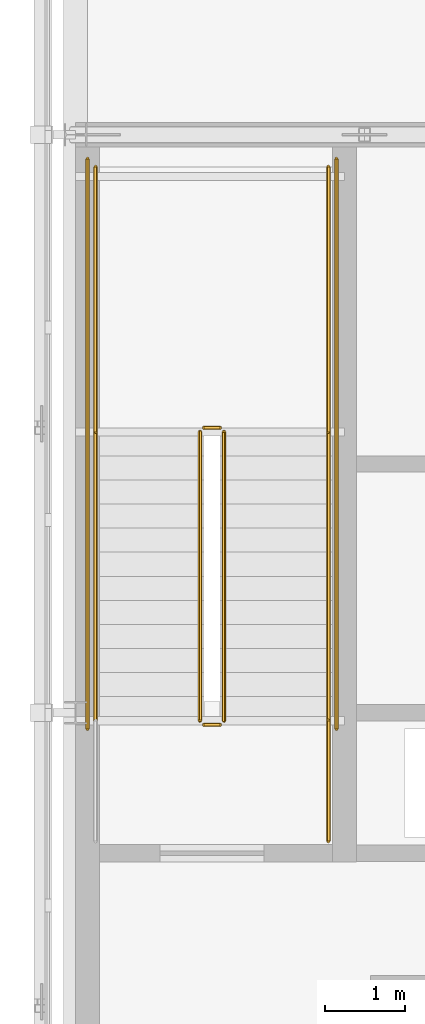
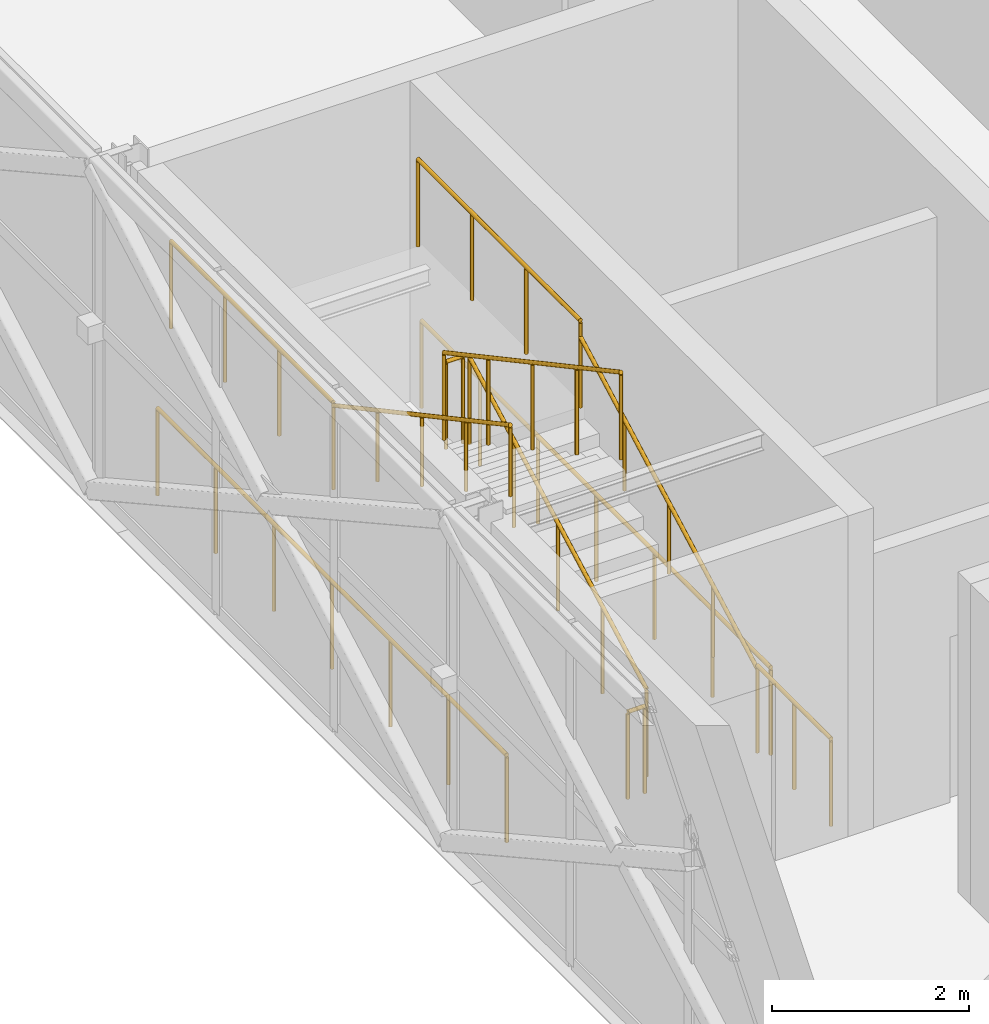
# One storey, part 145 of 146: 11 railings.
"""IFC4 building model written with IfcOpenShell, lengths in metres."""

from ifc_helpers import new_model, si_unit, direction, frame, origin, origin_2d, place, context, subcontext, project, spatial, circle, extrude, material, type_object, element, save


model = new_model("IFC4")

# Units and contexts
model_context = context("Model", 3, precision=1e-05, world=origin(), true_north=direction((0.0, 1.0)))
body_context = subcontext(model_context, "Body", "Model", "MODEL_VIEW")
ifc_project = project(units=[si_unit("LENGTHUNIT", "METRE"), si_unit("AREAUNIT", "SQUARE_METRE"), si_unit("VOLUMEUNIT", "CUBIC_METRE"), si_unit("PLANEANGLEUNIT", "RADIAN"), si_unit("MASSUNIT", "GRAM", prefix="KILO")], contexts=[model_context])

# Site, building, storey
site_placement = place(None, origin())
site = spatial("IfcSite", under=ifc_project, at=site_placement, CompositionType="ELEMENT")
building_placement = place(site_placement, origin())
building = spatial("IfcBuilding", under=site, at=building_placement, Name="Zlatovets Crest Museum", CompositionType="ELEMENT")
storey_placement = place(building_placement, frame((0.0, 0.0, 4.5)))
storey = spatial("IfcBuildingStorey", under=building, at=storey_placement, Name="L01", CompositionType="ELEMENT", Elevation=4.5)

# Railings
ifc_material_1 = material(Name="Painted steel safety guardrail", Category="steel")
railing_type_1 = type_object("IfcRailingType", Name="StairGuard_SG01", PredefinedType="GUARDRAIL", material=ifc_material_1)
railing_1_placement = place(storey_placement, frame((131.449951171875, 43.10009765625, 0.16162109375)))
element("IfcRailing", 1, at=railing_1_placement, inside=storey, type_object=railing_type_1, Name="L01 ST5 stair guard 1", PredefinedType="GUARDRAIL", context=body_context, shape_type="SweptSolid", body=[
    extrude(circle(Radius=0.02392578125, at=origin_2d()), frame((0.0, 0.0, 1.076171875), z_axis=(0.0, 0.880461512865, 0.474117627138), x_axis=(-1.0, 0.0, 0.0)), (0.0, 0.0, 1.0), 4.088623046875),
    extrude(circle(Radius=0.02099609375, at=origin_2d()), origin(), (0.0, 0.0, 1.0), 1.052001953125),
    extrude(circle(Radius=0.02099609375, at=origin_2d()), frame((0.0, 0.89990234375, 0.484619140625)), (0.0, 0.0, 1.0), 1.052001953125),
    extrude(circle(Radius=0.02099609375, at=origin_2d()), frame((0.0, 1.7998046875, 0.96923828125)), (0.0, 0.0, 1.0), 1.052001953125),
    extrude(circle(Radius=0.02099609375, at=origin_2d()), frame((0.0, 2.699951171875, 1.453857421875)), (0.0, 0.0, 1.0), 1.052001953125),
    extrude(circle(Radius=0.02099609375, at=origin_2d()), frame((0.0, 3.599853515625, 1.9384765625)), (0.0, 0.0, 1.0), 1.052001953125),
])
railing_2_placement = place(storey_placement, frame((131.39990234375, 46.75, 2.10009765625)))
element("IfcRailing", 2, at=railing_2_placement, inside=storey, type_object=railing_type_1, Name="L01 ST5 stair guard 2", PredefinedType="GUARDRAIL", context=body_context, shape_type="SweptSolid", body=[
    extrude(circle(Radius=0.02392578125, at=origin_2d()), frame((0.0, 0.0, 1.076171875), z_axis=(-1.0, 0.0, 0.0), x_axis=(0.0, -1.0, 0.0)), (0.0, 0.0, 1.0), 0.199951171875),
    extrude(circle(Radius=0.02099609375, at=origin_2d()), origin(), (0.0, 0.0, 1.0), 1.052001953125),
    extrude(circle(Radius=0.02099609375, at=origin_2d()), frame((-0.199951171875, 0.0, 0.0)), (0.0, 0.0, 1.0), 1.052001953125),
])
for number, where, name in (
    (3, (132.75, 46.699951171875, 2.10009765625), "L01 ST5 stair guard 3"),
    (4, (129.85009765625, 46.699951171875, 2.10009765625), "L01 ST5 stair guard 4"),
):
    element("IfcRailing", number, at=place(storey_placement, frame(where)), inside=storey, type_object=railing_type_1, Name=name, PredefinedType="GUARDRAIL", context=body_context, shape_type="SweptSolid", body=[
        extrude(circle(Radius=0.02392578125, at=origin_2d()), frame((0.0, 0.0, 1.076171875), z_axis=(0.0, 1.0, 0.0), x_axis=(-1.0, 0.0, 0.0)), (0.0, 0.0, 1.0), 3.300048828125),
        extrude(circle(Radius=0.02099609375, at=origin_2d()), origin(), (0.0, 0.0, 1.0), 1.052001953125),
        extrude(circle(Radius=0.02099609375, at=origin_2d()), frame((0.0, 1.10009765625, 0.0)), (0.0, 0.0, 1.0), 1.052001953125),
        extrude(circle(Radius=0.02099609375, at=origin_2d()), frame((0.0, 2.199951171875, 0.0)), (0.0, 0.0, 1.0), 1.052001953125),
        extrude(circle(Radius=0.02099609375, at=origin_2d()), frame((0.0, 3.300048828125, 0.0)), (0.0, 0.0, 1.0), 1.052001953125),
    ])
railing_3_placement = place(storey_placement, frame((131.14990234375, 46.699951171875, 2.261474609375)))
element("IfcRailing", 5, at=railing_3_placement, inside=storey, type_object=railing_type_1, Name="L01 ST5 stair guard 5", PredefinedType="GUARDRAIL", context=body_context, shape_type="SweptSolid", body=[
    extrude(circle(Radius=0.02392578125, at=origin_2d()), frame((0.0, 0.0, 1.076171875), z_axis=(0.0, -0.880461512865, 0.474117627138), x_axis=(1.0, 0.0, 0.0)), (0.0, 0.0, 1.0), 4.088623046875),
    extrude(circle(Radius=0.02099609375, at=origin_2d()), origin(), (0.0, 0.0, 1.0), 1.052001953125),
    extrude(circle(Radius=0.02099609375, at=origin_2d()), frame((0.0, -0.89990234375, 0.484619140625)), (0.0, 0.0, 1.0), 1.052001953125),
    extrude(circle(Radius=0.02099609375, at=origin_2d()), frame((0.0, -1.7998046875, 0.96923828125)), (0.0, 0.0, 1.0), 1.052001953125),
    extrude(circle(Radius=0.02099609375, at=origin_2d()), frame((0.0, -2.699951171875, 1.453857421875)), (0.0, 0.0, 1.0), 1.052001953125),
    extrude(circle(Radius=0.02099609375, at=origin_2d()), frame((0.0, -3.599853515625, 1.9384765625)), (0.0, 0.0, 1.0), 1.052001953125),
])
railing_4_placement = place(storey_placement, frame((131.39990234375, 43.050048828125, 0.0)))
element("IfcRailing", 6, at=railing_4_placement, inside=storey, type_object=railing_type_1, Name="L01 ST5 stair guard 6", PredefinedType="GUARDRAIL", context=body_context, shape_type="SweptSolid", body=[
    extrude(circle(Radius=0.02392578125, at=origin_2d()), frame((0.0, 0.0, 1.076171875), z_axis=(-1.0, 0.0, 0.0), x_axis=(0.0, -1.0, 0.0)), (0.0, 0.0, 1.0), 0.199951171875),
    extrude(circle(Radius=0.02099609375, at=origin_2d()), origin(), (0.0, 0.0, 1.0), 1.052001953125),
    extrude(circle(Radius=0.02099609375, at=origin_2d()), frame((-0.199951171875, 0.0, 0.0)), (0.0, 0.0, 1.0), 1.052001953125),
])
railing_5_placement = place(storey_placement, frame((132.75, 41.60009765625, 0.0)))
element("IfcRailing", 7, at=railing_5_placement, inside=storey, type_object=railing_type_1, Name="L01 ST5 stair guard 7", PredefinedType="GUARDRAIL", context=body_context, shape_type="SweptSolid", body=[
    extrude(circle(Radius=0.02392578125, at=origin_2d()), frame((0.0, 0.0, 1.076171875), z_axis=(0.0, 1.0, 0.0), x_axis=(-1.0, 0.0, 0.0)), (0.0, 0.0, 1.0), 1.5),
    extrude(circle(Radius=0.02099609375, at=origin_2d()), origin(), (0.0, 0.0, 1.0), 1.052001953125),
    extrude(circle(Radius=0.02099609375, at=origin_2d()), frame((0.0, 0.75, 0.0)), (0.0, 0.0, 1.0), 1.052001953125),
    extrude(circle(Radius=0.02099609375, at=origin_2d()), frame((0.0, 1.5, 0.0)), (0.0, 0.0, 1.0), 1.052001953125),
])
for number, where, name in (
    (8, (132.85009765625, 43.0, 0.0), "L01 ST5 stair guard 9"),
    (9, (129.75, 43.0, 0.0), "L01 ST5 stair guard 10"),
):
    element("IfcRailing", number, at=place(storey_placement, frame(where)), inside=storey, type_object=railing_type_1, Name=name, PredefinedType="GUARDRAIL", context=body_context, shape_type="SweptSolid", body=[
        extrude(circle(Radius=0.02392578125, at=origin_2d()), frame((0.0, 0.0, 1.076171875), z_axis=(0.0, 1.0, 0.0), x_axis=(-1.0, 0.0, 0.0)), (0.0, 0.0, 1.0), 7.10009765625),
        extrude(circle(Radius=0.02099609375, at=origin_2d()), origin(), (0.0, 0.0, 1.0), 1.052001953125),
        extrude(circle(Radius=0.02099609375, at=origin_2d()), frame((0.0, 1.183349609375, 0.0)), (0.0, 0.0, 1.0), 1.052001953125),
        extrude(circle(Radius=0.02099609375, at=origin_2d()), frame((0.0, 2.36669921875, 0.0)), (0.0, 0.0, 1.0), 1.052001953125),
        extrude(circle(Radius=0.02099609375, at=origin_2d()), frame((0.0, 3.550048828125, 0.0)), (0.0, 0.0, 1.0), 1.052001953125),
        extrude(circle(Radius=0.02099609375, at=origin_2d()), frame((0.0, 4.7333984375, 0.0)), (0.0, 0.0, 1.0), 1.052001953125),
        extrude(circle(Radius=0.02099609375, at=origin_2d()), frame((0.0, 5.916748046875, 0.0)), (0.0, 0.0, 1.0), 1.052001953125),
        extrude(circle(Radius=0.02099609375, at=origin_2d()), frame((0.0, 7.10009765625, 0.0)), (0.0, 0.0, 1.0), 1.052001953125),
    ])
ifc_material_2 = material(Name="Brushed bronze stair handrail")
railing_type_2 = type_object("IfcRailingType", Name="StairHandrail_SH01", PredefinedType="HANDRAIL", material=ifc_material_2)
railing_6_placement = place(storey_placement, frame((132.75, 43.10009765625, 0.16162109375)))
element("IfcRailing", 10, at=railing_6_placement, inside=storey, type_object=railing_type_2, Name="L01 ST5 stair handrail 1", PredefinedType="HANDRAIL", context=body_context, shape_type="SweptSolid", body=[
    extrude(circle(Radius=0.02392578125, at=origin_2d()), frame((0.0, 0.0, 0.8759765625), z_axis=(0.0, 0.880461512865, 0.474117627138), x_axis=(-1.0, 0.0, 0.0)), (0.0, 0.0, 1.0), 4.088623046875),
    extrude(circle(Radius=0.02099609375, at=origin_2d()), origin(), (0.0, 0.0, 1.0), 0.851806640625),
    extrude(circle(Radius=0.02099609375, at=origin_2d()), frame((0.0, 0.89990234375, 0.484619140625)), (0.0, 0.0, 1.0), 0.851806640625),
    extrude(circle(Radius=0.02099609375, at=origin_2d()), frame((0.0, 1.7998046875, 0.96923828125)), (0.0, 0.0, 1.0), 0.851806640625),
    extrude(circle(Radius=0.02099609375, at=origin_2d()), frame((0.0, 2.699951171875, 1.453857421875)), (0.0, 0.0, 1.0), 0.851806640625),
    extrude(circle(Radius=0.02099609375, at=origin_2d()), frame((0.0, 3.599853515625, 1.9384765625)), (0.0, 0.0, 1.0), 0.851806640625),
])
railing_7_placement = place(storey_placement, frame((129.85009765625, 46.699951171875, 2.261474609375)))
element("IfcRailing", 11, at=railing_7_placement, inside=storey, type_object=railing_type_2, Name="L01 ST5 stair handrail 2", PredefinedType="HANDRAIL", context=body_context, shape_type="SweptSolid", body=[
    extrude(circle(Radius=0.02392578125, at=origin_2d()), frame((0.0, 0.0, 0.8759765625), z_axis=(0.0, -0.880461512865, 0.474117627138), x_axis=(1.0, 0.0, 0.0)), (0.0, 0.0, 1.0), 4.088623046875),
    extrude(circle(Radius=0.02099609375, at=origin_2d()), origin(), (0.0, 0.0, 1.0), 0.851806640625),
    extrude(circle(Radius=0.02099609375, at=origin_2d()), frame((0.0, -0.89990234375, 0.484619140625)), (0.0, 0.0, 1.0), 0.851806640625),
    extrude(circle(Radius=0.02099609375, at=origin_2d()), frame((0.0, -1.7998046875, 0.96923828125)), (0.0, 0.0, 1.0), 0.851806640625),
    extrude(circle(Radius=0.02099609375, at=origin_2d()), frame((0.0, -2.699951171875, 1.453857421875)), (0.0, 0.0, 1.0), 0.851806640625),
    extrude(circle(Radius=0.02099609375, at=origin_2d()), frame((0.0, -3.599853515625, 1.9384765625)), (0.0, 0.0, 1.0), 0.851806640625),
])

save(model, "model.ifc")
